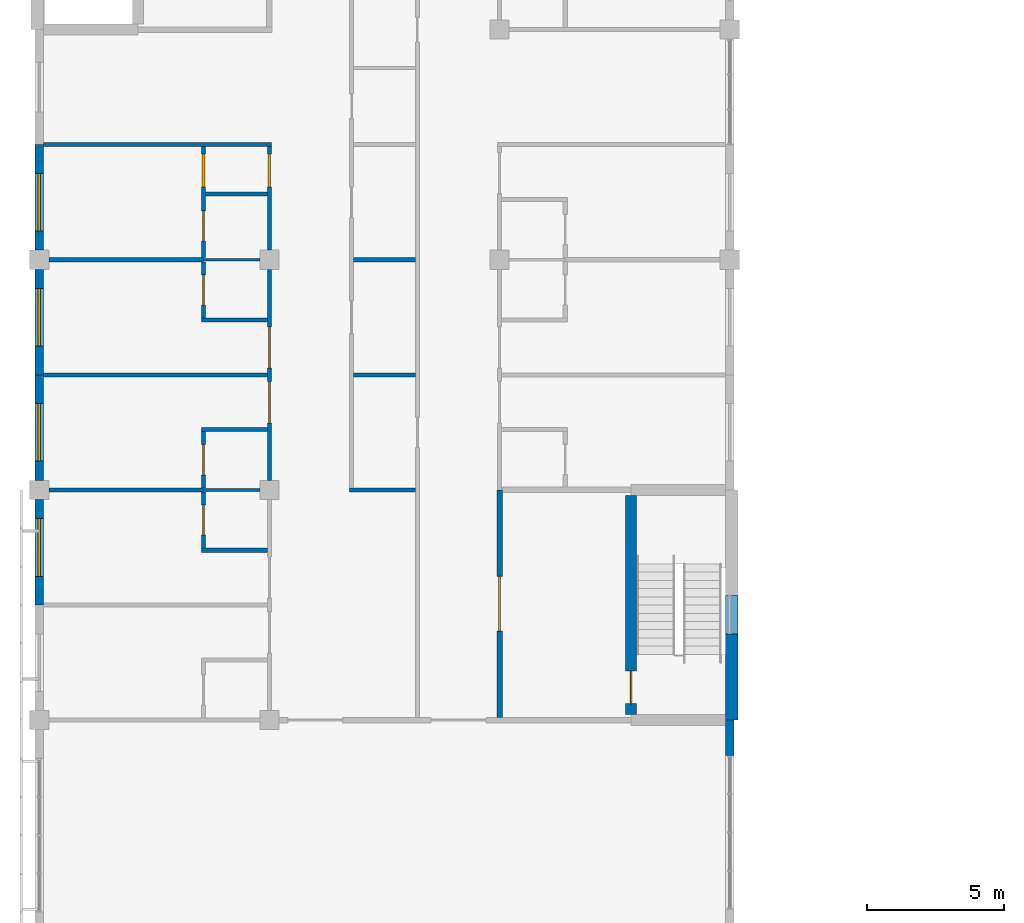
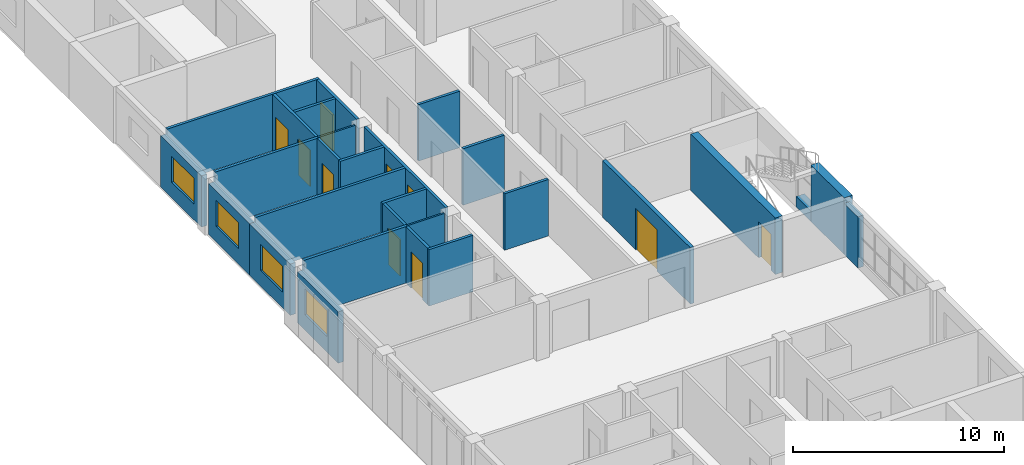
# One storey, part 27 of 45: 28 walls, 10 doors, 4 windows, 14 openings.
"""IFC4 building model written with IfcOpenShell, lengths in metres."""

from ifc_helpers import new_model, si_unit, direction, frame, frame_2d, origin, place, context, subcontext, project, spatial, rectangle, extrude, material, layer, layer_set, type_object, element, fill, save


model = new_model("IFC4")

# Units and contexts
model_context = context("Model", 3, precision=1e-05, world=origin(), true_north=direction((0.0, 1.0)))
body_context = subcontext(model_context, "Body", "Model", "MODEL_VIEW")
ifc_project = project(units=[si_unit("LENGTHUNIT", "METRE"), si_unit("AREAUNIT", "SQUARE_METRE"), si_unit("VOLUMEUNIT", "CUBIC_METRE"), si_unit("PLANEANGLEUNIT", "RADIAN"), si_unit("MASSUNIT", "GRAM", prefix="KILO")], contexts=[model_context])

# Site, building, storey
site_placement = place(None, origin())
site = spatial("IfcSite", under=ifc_project, at=site_placement, CompositionType="ELEMENT")
building_placement = place(site_placement, origin())
building = spatial("IfcBuilding", under=site, at=building_placement, Name="Yavir Park General Hospital", CompositionType="ELEMENT")
storey_placement = place(building_placement, frame((0.0, 0.0, 22.5)))
storey = spatial("IfcBuildingStorey", under=building, at=storey_placement, Name="L05", CompositionType="ELEMENT", Elevation=22.5)

# Wall, opening, door
ifc_material_1 = material(Name="Double gypsum board fire partition on steel studs", Category="steel")
ifc_layer_1 = layer(ifc_material_1, 0.199951171875)
ifc_layer_set_1 = layer_set([ifc_layer_1], Name="Double gypsum board fire partition on steel studs")
wall_type_1 = type_object("IfcWallType", Name="Fire-rated partition 200, EI 60", PredefinedType="PARTITIONING", material=ifc_layer_set_1)
wall_1_placement = place(storey_placement, frame((16.800048828125, 42.10009765625, 0.0), z_axis=(0.0, 0.0, 1.0), x_axis=(0.0, 1.0, 0.0)))
wall_1 = element("IfcWall", 1, at=wall_1_placement, inside=storey, type_object=wall_type_1, Name="FP20 L05-188", PredefinedType="PARTITIONING", context=body_context, shape_type="SweptSolid", body=[
    extrude(rectangle(XDim=8.2998046875, YDim=0.199951171875, at=frame_2d((4.14990234375, 0.0))), origin(), (0.0, 0.0, 1.0), 3.260009765625),
])
opening_1_placement = place(wall_1_placement, frame((3.14990234375, 0.0, 0.0)))
opening_1 = element("IfcOpeningElement", 2, at=opening_1_placement, cuts=wall_1, Name="Opening L05.D121", PredefinedType="OPENING", context=body_context, shape_type="SweptSolid", body=[
    extrude(rectangle(XDim=2.0, YDim=2.39990234375, at=frame_2d((1.0, 1.199951171875))), frame((0.0, 0.10986328125, 0.0), z_axis=(0.0, -1.0, 0.0), x_axis=(1.0, 0.0, 0.0)), (0.0, 0.0, 1.0), 0.219970703125),
])
ifc_material_2 = material(Name="Steel frame, fire-resisting leaves with vision panels", Category="steel")
door_type_1 = type_object("IfcDoorType", Name="Double fire door with vision panels 2000 x 2400, EI 60", OperationType="DOUBLE_DOOR_SINGLE_SWING", PredefinedType="DOOR", material=ifc_material_2)
door_1_placement = place(opening_1_placement, origin())
door_1 = element("IfcDoor", 3, at=door_1_placement, inside=storey, type_object=door_type_1, Name="L05.D121", OperationType="SINGLE_SWING_RIGHT", OverallHeight=2.39990234375, OverallWidth=2.0, PredefinedType="DOOR", context=body_context, shape_type="SweptSolid", body=[
    extrude(rectangle(XDim=2.0, YDim=2.39990234375, at=frame_2d((1.0, 1.199951171875))), frame((0.0, 0.030029296875, 0.0), z_axis=(0.0, -1.0, 0.0), x_axis=(1.0, 0.0, 0.0)), (0.0, 0.0, 1.0), 0.06005859375),
])
fill(opening_1, door_1)

# Walls
ifc_material_3 = material(Name="Gypsum board partition on steel studs", Category="steel")
ifc_layer_2 = layer(ifc_material_3, 0.10009765625)
ifc_layer_set_2 = layer_set([ifc_layer_2], Name="Gypsum board partition on steel studs")
wall_type_2 = type_object("IfcWallType", Name="Gypsum board partition 100", PredefinedType="PARTITIONING", material=ifc_layer_set_2)
for number, where, z_axis, x_axis, name in (
    (4, (6.0, 50.39990234375, 0.0), (0.0, 0.0, 1.0), (1.0, 0.0, 0.0), "P10 L05-071"),
    (5, (6.0, 58.800048828125, 0.0), (0.0, 0.0, 1.0), (1.0, 0.0, 0.0), "P10 L05-083"),
):
    element("IfcWall", number, at=place(storey_placement, frame(where, z_axis=z_axis, x_axis=x_axis)), inside=storey, type_object=wall_type_2, Name=name, PredefinedType="PARTITIONING", context=body_context, shape_type="SweptSolid", body=[
        extrude(rectangle(XDim=2.050048828125, YDim=0.10009765625, at=frame_2d((1.02490234375, 0.0))), origin(), (0.0, 0.0, 1.0), 3.260009765625),
    ])
ifc_material_4 = material(Name="Gypsum board partition on steel studs", Category="steel")
ifc_layer_3 = layer(ifc_material_4, 0.14990234375)
ifc_layer_set_3 = layer_set([ifc_layer_3], Name="Gypsum board partition on steel studs")
wall_type_3 = type_object("IfcWallType", Name="Gypsum board partition 150", PredefinedType="PARTITIONING", material=ifc_layer_set_3)
wall_2_placement = place(storey_placement, frame((5.925048828125, 48.199951171875, 0.0), z_axis=(0.0, 0.0, 1.0), x_axis=(1.0, 0.0, 0.0)))
element("IfcWall", 6, at=wall_2_placement, inside=storey, type_object=wall_type_3, Name="P15 L05-069", PredefinedType="PARTITIONING", context=body_context, shape_type="SweptSolid", body=[
    extrude(rectangle(XDim=2.39990234375, YDim=0.14990234375, at=frame_2d((1.199951171875, 0.0))), origin(), (0.0, 0.0, 1.0), 3.260009765625),
])
wall_3_placement = place(storey_placement, frame((0.35009765625, 50.39990234375, 0.0), z_axis=(0.0, 0.0, 1.0), x_axis=(1.0, 0.0, 0.0)))
element("IfcWall", 7, at=wall_3_placement, inside=storey, type_object=wall_type_3, Name="P15 L05-070", PredefinedType="PARTITIONING", context=body_context, shape_type="SweptSolid", body=[
    extrude(rectangle(XDim=5.64990234375, YDim=0.14990234375, at=frame_2d((2.824951171875, 0.0))), origin(), (0.0, 0.0, 1.0), 3.260009765625),
])
wall_4_placement = place(storey_placement, frame((11.324951171875, 50.39990234375, 0.0), z_axis=(0.0, 0.0, 1.0), x_axis=(1.0, 0.0, 0.0)))
element("IfcWall", 8, at=wall_4_placement, inside=storey, type_object=wall_type_3, Name="P15 L05-072", PredefinedType="PARTITIONING", context=body_context, shape_type="SweptSolid", body=[
    extrude(rectangle(XDim=2.400146484375, YDim=0.14990234375, at=frame_2d((1.2001953125, 0.0))), origin(), (0.0, 0.0, 1.0), 3.260009765625),
])
wall_5_placement = place(storey_placement, frame((5.925048828125, 52.60009765625, 0.0), z_axis=(0.0, 0.0, 1.0), x_axis=(1.0, 0.0, 0.0)))
element("IfcWall", 9, at=wall_5_placement, inside=storey, type_object=wall_type_3, Name="P15 L05-075", PredefinedType="PARTITIONING", context=body_context, shape_type="SweptSolid", body=[
    extrude(rectangle(XDim=2.39990234375, YDim=0.14990234375, at=frame_2d((1.199951171875, 0.0))), origin(), (0.0, 0.0, 1.0), 3.260009765625),
])
wall_6_placement = place(storey_placement, frame((0.14990234375, 54.60009765625, 0.0), z_axis=(0.0, 0.0, 1.0), x_axis=(1.0, 0.0, 0.0)))
element("IfcWall", 10, at=wall_6_placement, inside=storey, type_object=wall_type_3, Name="P15 L05-077", PredefinedType="PARTITIONING", context=body_context, shape_type="SweptSolid", body=[
    extrude(rectangle(XDim=8.175048828125, YDim=0.14990234375, at=frame_2d((4.08740234375, 0.0))), origin(), (0.0, 0.0, 1.0), 3.260009765625),
])
wall_7_placement = place(storey_placement, frame((11.47509765625, 54.60009765625, 0.0), z_axis=(0.0, 0.0, 1.0), x_axis=(1.0, 0.0, 0.0)))
element("IfcWall", 11, at=wall_7_placement, inside=storey, type_object=wall_type_3, Name="P15 L05-078", PredefinedType="PARTITIONING", context=body_context, shape_type="SweptSolid", body=[
    extrude(rectangle(XDim=2.25, YDim=0.14990234375, at=frame_2d((1.125, 0.0))), origin(), (0.0, 0.0, 1.0), 3.260009765625),
])
wall_8_placement = place(storey_placement, frame((5.925048828125, 56.60009765625, 0.0), z_axis=(0.0, 0.0, 1.0), x_axis=(1.0, 0.0, 0.0)))
element("IfcWall", 12, at=wall_8_placement, inside=storey, type_object=wall_type_3, Name="P15 L05-080", PredefinedType="PARTITIONING", context=body_context, shape_type="SweptSolid", body=[
    extrude(rectangle(XDim=2.39990234375, YDim=0.14990234375, at=frame_2d((1.199951171875, 0.0))), origin(), (0.0, 0.0, 1.0), 3.260009765625),
])
wall_9_placement = place(storey_placement, frame((0.35009765625, 58.800048828125, 0.0), z_axis=(0.0, 0.0, 1.0), x_axis=(1.0, 0.0, 0.0)))
element("IfcWall", 13, at=wall_9_placement, inside=storey, type_object=wall_type_3, Name="P15 L05-082", PredefinedType="PARTITIONING", context=body_context, shape_type="SweptSolid", body=[
    extrude(rectangle(XDim=5.64990234375, YDim=0.14990234375, at=frame_2d((2.824951171875, 0.0))), origin(), (0.0, 0.0, 1.0), 3.260009765625),
])
for number, where, z_axis, x_axis, name in (
    (14, (11.47509765625, 58.800048828125, 0.0), (0.0, 0.0, 1.0), (1.0, 0.0, 0.0), "P15 L05-084"),
    (15, (6.074951171875, 61.199951171875, 0.0), (0.0, 0.0, 1.0), (1.0, 0.0, 0.0), "P15 L05-088"),
):
    element("IfcWall", number, at=place(storey_placement, frame(where, z_axis=z_axis, x_axis=x_axis)), inside=storey, type_object=wall_type_3, Name=name, PredefinedType="PARTITIONING", context=body_context, shape_type="SweptSolid", body=[
        extrude(rectangle(XDim=2.25, YDim=0.14990234375, at=frame_2d((1.125, 0.0))), origin(), (0.0, 0.0, 1.0), 3.260009765625),
    ])
wall_10_placement = place(storey_placement, frame((0.14990234375, 63.0, 0.0), z_axis=(0.0, 0.0, 1.0), x_axis=(1.0, 0.0, 0.0)))
element("IfcWall", 16, at=wall_10_placement, inside=storey, type_object=wall_type_3, Name="P15 L05-089", PredefinedType="PARTITIONING", context=body_context, shape_type="SweptSolid", body=[
    extrude(rectangle(XDim=8.3251953125, YDim=0.14990234375, at=frame_2d((4.16259765625, 0.0))), origin(), (0.0, 0.0, 1.0), 3.260009765625),
])

# Wall, opening, door
wall_11_placement = place(storey_placement, frame((6.0, 48.27490234375, 0.0), z_axis=(0.0, 0.0, 1.0), x_axis=(0.0, 1.0, 0.0)))
wall_11 = element("IfcWall", 17, at=wall_11_placement, inside=storey, type_object=wall_type_3, Name="P15 L05-147", PredefinedType="PARTITIONING", context=body_context, shape_type="SweptSolid", body=[
    extrude(rectangle(XDim=2.050048828125, YDim=0.14990234375, at=frame_2d((1.02490234375, 0.0))), origin(), (0.0, 0.0, 1.0), 3.260009765625),
])
opening_2_placement = place(wall_11_placement, frame((0.47509765625, 0.0, 0.0)))
opening_2 = element("IfcOpeningElement", 18, at=opening_2_placement, cuts=wall_11, Name="Opening L05.D081", PredefinedType="OPENING", context=body_context, shape_type="SweptSolid", body=[
    extrude(rectangle(XDim=1.10009765625, YDim=2.10009765625, at=frame_2d((0.550048828125, 1.050048828125))), frame((0.0, 0.0849609375, 0.0), z_axis=(0.0, -1.0, 0.0), x_axis=(1.0, 0.0, 0.0)), (0.0, 0.0, 1.0), 0.169921875),
])
ifc_material_5 = material(Name="Hollow metal frame, solid-core timber leaf", Category="wood")
door_type_2 = type_object("IfcDoorType", Name="Single swing door 1100 x 2100", OperationType="SINGLE_SWING_LEFT", PredefinedType="DOOR", material=ifc_material_5)
door_2_placement = place(opening_2_placement, origin())
door_2 = element("IfcDoor", 19, at=door_2_placement, inside=storey, type_object=door_type_2, Name="L05.D081", OperationType="SINGLE_SWING_LEFT", OverallHeight=2.10009765625, OverallWidth=1.10009765625, PredefinedType="DOOR", context=body_context, shape_type="SweptSolid", body=[
    extrude(rectangle(XDim=1.10009765625, YDim=2.10009765625, at=frame_2d((0.550048828125, 1.050048828125))), frame((0.0, 0.02490234375, 0.0), z_axis=(0.0, -1.0, 0.0), x_axis=(1.0, 0.0, 0.0)), (0.0, 0.0, 1.0), 0.050048828125),
])
fill(opening_2, door_2)

wall_12_placement = place(storey_placement, frame((6.0, 50.47509765625, 0.0), z_axis=(0.0, 0.0, 1.0), x_axis=(0.0, 1.0, 0.0)))
wall_12 = element("IfcWall", 20, at=wall_12_placement, inside=storey, type_object=wall_type_3, Name="P15 L05-148", PredefinedType="PARTITIONING", context=body_context, shape_type="SweptSolid", body=[
    extrude(rectangle(XDim=2.0498046875, YDim=0.14990234375, at=frame_2d((1.02490234375, 0.0))), origin(), (0.0, 0.0, 1.0), 3.260009765625),
])
opening_3_placement = place(wall_12_placement, frame((0.47509765625, 0.0, 0.0)))
opening_3 = element("IfcOpeningElement", 21, at=opening_3_placement, cuts=wall_12, Name="Opening L05.D082", PredefinedType="OPENING", context=body_context, shape_type="SweptSolid", body=[
    extrude(rectangle(XDim=1.10009765625, YDim=2.10009765625, at=frame_2d((0.550048828125, 1.050048828125))), frame((0.0, 0.0849609375, 0.0), z_axis=(0.0, -1.0, 0.0), x_axis=(1.0, 0.0, 0.0)), (0.0, 0.0, 1.0), 0.169921875),
])
door_3_placement = place(opening_3_placement, origin())
door_3 = element("IfcDoor", 22, at=door_3_placement, inside=storey, type_object=door_type_2, Name="L05.D082", OperationType="SINGLE_SWING_RIGHT", OverallHeight=2.10009765625, OverallWidth=1.10009765625, PredefinedType="DOOR", context=body_context, shape_type="SweptSolid", body=[
    extrude(rectangle(XDim=1.10009765625, YDim=2.10009765625, at=frame_2d((0.550048828125, 1.050048828125))), frame((0.0, 0.02490234375, 0.0), z_axis=(0.0, -1.0, 0.0), x_axis=(1.0, 0.0, 0.0)), (0.0, 0.0, 1.0), 0.050048828125),
])
fill(opening_3, door_3)

wall_13_placement = place(storey_placement, frame((6.0, 56.675048828125, 0.0), z_axis=(0.0, 0.0, 1.0), x_axis=(0.0, 1.0, 0.0)))
wall_13 = element("IfcWall", 23, at=wall_13_placement, inside=storey, type_object=wall_type_3, Name="P15 L05-149", PredefinedType="PARTITIONING", context=body_context, shape_type="SweptSolid", body=[
    extrude(rectangle(XDim=2.050048828125, YDim=0.14990234375, at=frame_2d((1.02490234375, 0.0))), origin(), (0.0, 0.0, 1.0), 3.260009765625),
])
opening_4_placement = place(wall_13_placement, frame((0.47509765625, 0.0, 0.0)))
opening_4 = element("IfcOpeningElement", 24, at=opening_4_placement, cuts=wall_13, Name="Opening L05.D083", PredefinedType="OPENING", context=body_context, shape_type="SweptSolid", body=[
    extrude(rectangle(XDim=1.10009765625, YDim=2.10009765625, at=frame_2d((0.550048828125, 1.050048828125))), frame((0.0, 0.0849609375, 0.0), z_axis=(0.0, -1.0, 0.0), x_axis=(1.0, 0.0, 0.0)), (0.0, 0.0, 1.0), 0.169921875),
])
door_4_placement = place(opening_4_placement, origin())
door_4 = element("IfcDoor", 25, at=door_4_placement, inside=storey, type_object=door_type_2, Name="L05.D083", OperationType="SINGLE_SWING_LEFT", OverallHeight=2.10009765625, OverallWidth=1.10009765625, PredefinedType="DOOR", context=body_context, shape_type="SweptSolid", body=[
    extrude(rectangle(XDim=1.10009765625, YDim=2.10009765625, at=frame_2d((0.550048828125, 1.050048828125))), frame((0.0, 0.02490234375, 0.0), z_axis=(0.0, -1.0, 0.0), x_axis=(1.0, 0.0, 0.0)), (0.0, 0.0, 1.0), 0.050048828125),
])
fill(opening_4, door_4)

# Wall, openings, doors
wall_14_placement = place(storey_placement, frame((6.0, 58.875, 0.0), z_axis=(0.0, 0.0, 1.0), x_axis=(0.0, 1.0, 0.0)))
wall_14 = element("IfcWall", 26, at=wall_14_placement, inside=storey, type_object=wall_type_3, Name="P15 L05-150", PredefinedType="PARTITIONING", context=body_context, shape_type="SweptSolid", body=[
    extrude(rectangle(XDim=4.050048828125, YDim=0.14990234375, at=frame_2d((2.02490234375, 0.0))), origin(), (0.0, 0.0, 1.0), 3.260009765625),
])
opening_5_placement = place(wall_14_placement, frame((0.612548828125, 0.0, 0.0)))
opening_5 = element("IfcOpeningElement", 27, at=opening_5_placement, cuts=wall_14, Name="Opening L05.D084", PredefinedType="OPENING", context=body_context, shape_type="SweptSolid", body=[
    extrude(rectangle(XDim=1.10009765625, YDim=2.10009765625, at=frame_2d((0.550048828125, 1.050048828125))), frame((0.0, 0.0849609375, 0.0), z_axis=(0.0, -1.0, 0.0), x_axis=(1.0, 0.0, 0.0)), (0.0, 0.0, 1.0), 0.169921875),
])
opening_6_placement = place(wall_14_placement, frame((2.58740234375, 0.0, 0.0)))
opening_6 = element("IfcOpeningElement", 28, at=opening_6_placement, cuts=wall_14, Name="Opening L05.D085", PredefinedType="OPENING", context=body_context, shape_type="SweptSolid", body=[
    extrude(rectangle(XDim=1.199951171875, YDim=2.10009765625, at=frame_2d((0.60009765625, 1.050048828125))), frame((0.0, 0.0849609375, 0.0), z_axis=(0.0, -1.0, 0.0), x_axis=(1.0, 0.0, 0.0)), (0.0, 0.0, 1.0), 0.169921875),
])
ifc_material_6 = material(Name="Sealed steel door leaf, compression seals", Category="steel")
door_type_3 = type_object("IfcDoorType", Name="Isolation airlock door 1200 x 2100", OperationType="SINGLE_SWING_LEFT", PredefinedType="DOOR", material=ifc_material_6)
door_5_placement = place(opening_6_placement, origin())
door_5 = element("IfcDoor", 29, at=door_5_placement, inside=storey, type_object=door_type_3, Name="L05.D085", OperationType="SINGLE_SWING_LEFT", OverallHeight=2.10009765625, OverallWidth=1.199951171875, PredefinedType="DOOR", context=body_context, shape_type="SweptSolid", body=[
    extrude(rectangle(XDim=1.199951171875, YDim=2.10009765625, at=frame_2d((0.60009765625, 1.050048828125))), frame((0.0, 0.050048828125, 0.0), z_axis=(0.0, -1.0, 0.0), x_axis=(1.0, 0.0, 0.0)), (0.0, 0.0, 1.0), 0.10009765625),
])
fill(opening_6, door_5)
door_6_placement = place(opening_5_placement, origin())
door_6 = element("IfcDoor", 30, at=door_6_placement, inside=storey, type_object=door_type_2, Name="L05.D084", OperationType="SINGLE_SWING_RIGHT", OverallHeight=2.10009765625, OverallWidth=1.10009765625, PredefinedType="DOOR", context=body_context, shape_type="SweptSolid", body=[
    extrude(rectangle(XDim=1.10009765625, YDim=2.10009765625, at=frame_2d((0.550048828125, 1.050048828125))), frame((0.0, 0.02490234375, 0.0), z_axis=(0.0, -1.0, 0.0), x_axis=(1.0, 0.0, 0.0)), (0.0, 0.0, 1.0), 0.050048828125),
])
fill(opening_5, door_6)

wall_15_placement = place(storey_placement, frame((8.39990234375, 50.75, 0.0), z_axis=(0.0, 0.0, 1.0), x_axis=(0.0, 1.0, 0.0)))
wall_15 = element("IfcWall", 31, at=wall_15_placement, inside=storey, type_object=wall_type_3, Name="P15 L05-165", PredefinedType="PARTITIONING", context=body_context, shape_type="SweptSolid", body=[
    extrude(rectangle(XDim=7.699951171875, YDim=0.14990234375, at=frame_2d((3.85009765625, 0.0))), origin(), (0.0, 0.0, 1.0), 3.260009765625),
])
opening_7_placement = place(wall_15_placement, frame((2.10009765625, 0.0, 0.0)))
opening_7 = element("IfcOpeningElement", 32, at=opening_7_placement, cuts=wall_15, Name="Opening L05.D096", PredefinedType="OPENING", context=body_context, shape_type="SweptSolid", body=[
    extrude(rectangle(XDim=1.5, YDim=2.39990234375, at=frame_2d((0.75, 1.199951171875))), frame((0.0, 0.0849609375, 0.0), z_axis=(0.0, -1.0, 0.0), x_axis=(1.0, 0.0, 0.0)), (0.0, 0.0, 1.0), 0.169921875),
])
opening_8_placement = place(wall_15_placement, frame((4.10009765625, 0.0, 0.0)))
opening_8 = element("IfcOpeningElement", 33, at=opening_8_placement, cuts=wall_15, Name="Opening L05.D097", PredefinedType="OPENING", context=body_context, shape_type="SweptSolid", body=[
    extrude(rectangle(XDim=1.5, YDim=2.39990234375, at=frame_2d((0.75, 1.199951171875))), frame((0.0, 0.0849609375, 0.0), z_axis=(0.0, -1.0, 0.0), x_axis=(1.0, 0.0, 0.0)), (0.0, 0.0, 1.0), 0.169921875),
])
ifc_material_7 = material(Name="Solid-core timber leaves, push plates, kick plates", Category="wood")
door_type_4 = type_object("IfcDoorType", Name="Bed door, unequal leaves 1500 x 2400", OperationType="DOUBLE_DOOR_SINGLE_SWING", PredefinedType="DOOR", material=ifc_material_7)
door_7_placement = place(opening_7_placement, origin())
door_7 = element("IfcDoor", 34, at=door_7_placement, inside=storey, type_object=door_type_4, Name="L05.D096", OperationType="SINGLE_SWING_RIGHT", OverallHeight=2.39990234375, OverallWidth=1.5, PredefinedType="DOOR", context=body_context, shape_type="SweptSolid", body=[
    extrude(rectangle(XDim=1.5, YDim=2.39990234375, at=frame_2d((0.75, 1.199951171875))), frame((0.0, 0.030029296875, 0.0), z_axis=(0.0, -1.0, 0.0), x_axis=(1.0, 0.0, 0.0)), (0.0, 0.0, 1.0), 0.06005859375),
])
fill(opening_7, door_7)
door_8_placement = place(opening_8_placement, origin())
door_8 = element("IfcDoor", 35, at=door_8_placement, inside=storey, type_object=door_type_4, Name="L05.D097", OperationType="SINGLE_SWING_RIGHT", OverallHeight=2.39990234375, OverallWidth=1.5, PredefinedType="DOOR", context=body_context, shape_type="SweptSolid", body=[
    extrude(rectangle(XDim=1.5, YDim=2.39990234375, at=frame_2d((0.75, 1.199951171875))), frame((0.0, 0.030029296875, 0.0), z_axis=(0.0, -1.0, 0.0), x_axis=(1.0, 0.0, 0.0)), (0.0, 0.0, 1.0), 0.06005859375),
])
fill(opening_8, door_8)

# Wall, opening, door
wall_16_placement = place(storey_placement, frame((8.39990234375, 59.14990234375, 0.0), z_axis=(0.0, 0.0, 1.0), x_axis=(0.0, 1.0, 0.0)))
wall_16 = element("IfcWall", 36, at=wall_16_placement, inside=storey, type_object=wall_type_3, Name="P15 L05-166", PredefinedType="PARTITIONING", context=body_context, shape_type="SweptSolid", body=[
    extrude(rectangle(XDim=3.775146484375, YDim=0.14990234375, at=frame_2d((1.8876953125, 0.0))), origin(), (0.0, 0.0, 1.0), 3.260009765625),
])
opening_9_placement = place(wall_16_placement, frame((2.3125, 0.0, 0.0)))
opening_9 = element("IfcOpeningElement", 37, at=opening_9_placement, cuts=wall_16, Name="Opening L05.D098", PredefinedType="OPENING", context=body_context, shape_type="SweptSolid", body=[
    extrude(rectangle(XDim=1.199951171875, YDim=2.10009765625, at=frame_2d((0.60009765625, 1.050048828125))), frame((0.0, 0.0849609375, 0.0), z_axis=(0.0, -1.0, 0.0), x_axis=(1.0, 0.0, 0.0)), (0.0, 0.0, 1.0), 0.169921875),
])
door_9_placement = place(opening_9_placement, origin())
door_9 = element("IfcDoor", 38, at=door_9_placement, inside=storey, type_object=door_type_3, Name="L05.D098", OperationType="SINGLE_SWING_RIGHT", OverallHeight=2.10009765625, OverallWidth=1.199951171875, PredefinedType="DOOR", context=body_context, shape_type="SweptSolid", body=[
    extrude(rectangle(XDim=1.199951171875, YDim=2.10009765625, at=frame_2d((0.60009765625, 1.050048828125))), frame((0.0, 0.050048828125, 0.0), z_axis=(0.0, -1.0, 0.0), x_axis=(1.0, 0.0, 0.0)), (0.0, 0.0, 1.0), 0.10009765625),
])
fill(opening_9, door_9)

# Wall, opening, window
ifc_material_8 = material(Name="Autoclaved aerated block, mineral wool and ochre mineral render")
ifc_layer_4 = layer(ifc_material_8, 0.300048828125)
ifc_layer_set_4 = layer_set([ifc_layer_4], Name="Autoclaved aerated block, mineral wool and ochre mineral render")
wall_type_4 = type_object("IfcWallType", Name="Ochre render ward wall 300, E 30", PredefinedType="SOLIDWALL", material=ifc_layer_set_4)
wall_17_placement = place(storey_placement, frame((0.0, 46.199951171875, 0.0), z_axis=(0.0, 0.0, 1.0), x_axis=(0.0, 1.0, 0.0)))
wall_17 = element("IfcWall", 39, at=wall_17_placement, inside=storey, type_object=wall_type_4, Name="XW7 L05-082", PredefinedType="SOLIDWALL", context=body_context, shape_type="SweptSolid", body=[
    extrude(rectangle(XDim=3.85009765625, YDim=0.300048828125, at=frame_2d((1.925048828125, 0.0))), origin(), (0.0, 0.0, 1.0), 2.9599609375),
])
opening_10_placement = place(wall_17_placement, frame((1.050048828125, 0.0, 0.89990234375)))
opening_10 = element("IfcOpeningElement", 40, at=opening_10_placement, cuts=wall_17, Name="Opening WAR", PredefinedType="OPENING", context=body_context, shape_type="SweptSolid", body=[
    extrude(rectangle(XDim=2.10009765625, YDim=1.5, at=frame_2d((1.050048828125, 0.75))), frame((0.0, 0.159912109375, 0.0), z_axis=(0.0, -1.0, 0.0), x_axis=(1.0, 0.0, 0.0)), (0.0, 0.0, 1.0), 0.320068359375),
])
ifc_material_9 = material(Name="Aluminium frame, tilt-and-turn sash with opening restrictor, double glazed unit", Category="aluminium")
window_type_1 = type_object("IfcWindowType", Name="Ward window, restricted opening 2100 x 1500", PartitioningType="DOUBLE_PANEL_VERTICAL", PredefinedType="WINDOW", material=ifc_material_9)
window_1_placement = place(opening_10_placement, origin())
window_1 = element("IfcWindow", 41, at=window_1_placement, inside=storey, type_object=window_type_1, Name="WAR L05-031", OverallHeight=1.5, OverallWidth=2.10009765625, PartitioningType="DOUBLE_PANEL_VERTICAL", PredefinedType="WINDOW", context=body_context, shape_type="SweptSolid", body=[
    extrude(rectangle(XDim=2.10009765625, YDim=1.5, at=frame_2d((1.050048828125, 0.75))), frame((0.0, 0.050048828125, 0.0), z_axis=(0.0, -1.0, 0.0), x_axis=(1.0, 0.0, 0.0)), (0.0, 0.0, 1.0), 0.10009765625),
])
fill(opening_10, window_1)

wall_18_placement = place(storey_placement, frame((0.0, 50.75, 0.0), z_axis=(0.0, 0.0, 1.0), x_axis=(0.0, 1.0, 0.0)))
wall_18 = element("IfcWall", 42, at=wall_18_placement, inside=storey, type_object=wall_type_4, Name="XW7 L05-083", PredefinedType="SOLIDWALL", context=body_context, shape_type="SweptSolid", body=[
    extrude(rectangle(XDim=3.85009765625, YDim=0.300048828125, at=frame_2d((1.925048828125, 0.0))), origin(), (0.0, 0.0, 1.0), 2.9599609375),
])
opening_11_placement = place(wall_18_placement, frame((0.699951171875, 0.0, 0.89990234375)))
opening_11 = element("IfcOpeningElement", 43, at=opening_11_placement, cuts=wall_18, Name="Opening WAR", PredefinedType="OPENING", context=body_context, shape_type="SweptSolid", body=[
    extrude(rectangle(XDim=2.10009765625, YDim=1.5, at=frame_2d((1.050048828125, 0.75))), frame((0.0, 0.159912109375, 0.0), z_axis=(0.0, -1.0, 0.0), x_axis=(1.0, 0.0, 0.0)), (0.0, 0.0, 1.0), 0.320068359375),
])
window_2_placement = place(opening_11_placement, origin())
window_2 = element("IfcWindow", 44, at=window_2_placement, inside=storey, type_object=window_type_1, Name="WAR L05-032", OverallHeight=1.5, OverallWidth=2.10009765625, PartitioningType="DOUBLE_PANEL_VERTICAL", PredefinedType="WINDOW", context=body_context, shape_type="SweptSolid", body=[
    extrude(rectangle(XDim=2.10009765625, YDim=1.5, at=frame_2d((1.050048828125, 0.75))), frame((0.0, 0.050048828125, 0.0), z_axis=(0.0, -1.0, 0.0), x_axis=(1.0, 0.0, 0.0)), (0.0, 0.0, 1.0), 0.10009765625),
])
fill(opening_11, window_2)

wall_19_placement = place(storey_placement, frame((0.0, 54.60009765625, 0.0), z_axis=(0.0, 0.0, 1.0), x_axis=(0.0, 1.0, 0.0)))
wall_19 = element("IfcWall", 45, at=wall_19_placement, inside=storey, type_object=wall_type_4, Name="XW7 L05-084", PredefinedType="SOLIDWALL", context=body_context, shape_type="SweptSolid", body=[
    extrude(rectangle(XDim=3.849853515625, YDim=0.300048828125, at=frame_2d((1.9248046875, 0.0))), origin(), (0.0, 0.0, 1.0), 2.9599609375),
])
opening_12_placement = place(wall_19_placement, frame((1.050048828125, 0.0, 0.89990234375)))
opening_12 = element("IfcOpeningElement", 46, at=opening_12_placement, cuts=wall_19, Name="Opening WAR", PredefinedType="OPENING", context=body_context, shape_type="SweptSolid", body=[
    extrude(rectangle(XDim=2.10009765625, YDim=1.5, at=frame_2d((1.050048828125, 0.75))), frame((0.0, 0.159912109375, 0.0), z_axis=(0.0, -1.0, 0.0), x_axis=(1.0, 0.0, 0.0)), (0.0, 0.0, 1.0), 0.320068359375),
])
window_3_placement = place(opening_12_placement, origin())
window_3 = element("IfcWindow", 47, at=window_3_placement, inside=storey, type_object=window_type_1, Name="WAR L05-033", OverallHeight=1.5, OverallWidth=2.10009765625, PartitioningType="DOUBLE_PANEL_VERTICAL", PredefinedType="WINDOW", context=body_context, shape_type="SweptSolid", body=[
    extrude(rectangle(XDim=2.10009765625, YDim=1.5, at=frame_2d((1.050048828125, 0.75))), frame((0.0, 0.050048828125, 0.0), z_axis=(0.0, -1.0, 0.0), x_axis=(1.0, 0.0, 0.0)), (0.0, 0.0, 1.0), 0.10009765625),
])
fill(opening_12, window_3)

wall_20_placement = place(storey_placement, frame((0.0, 59.14990234375, 0.0), z_axis=(0.0, 0.0, 1.0), x_axis=(0.0, 1.0, 0.0)))
wall_20 = element("IfcWall", 48, at=wall_20_placement, inside=storey, type_object=wall_type_4, Name="XW7 L05-085", PredefinedType="SOLIDWALL", context=body_context, shape_type="SweptSolid", body=[
    extrude(rectangle(XDim=3.85009765625, YDim=0.300048828125, at=frame_2d((1.925048828125, 0.0))), origin(), (0.0, 0.0, 1.0), 2.9599609375),
])
opening_13_placement = place(wall_20_placement, frame((0.699951171875, 0.0, 0.89990234375)))
opening_13 = element("IfcOpeningElement", 49, at=opening_13_placement, cuts=wall_20, Name="Opening WI", PredefinedType="OPENING", context=body_context, shape_type="SweptSolid", body=[
    extrude(rectangle(XDim=2.10009765625, YDim=1.5, at=frame_2d((1.050048828125, 0.75))), frame((0.0, 0.159912109375, 0.0), z_axis=(0.0, -1.0, 0.0), x_axis=(1.0, 0.0, 0.0)), (0.0, 0.0, 1.0), 0.320068359375),
])
ifc_material_10 = material(Name="Aluminium frame, acoustic glazed unit", Category="aluminium")
window_type_2 = type_object("IfcWindowType", Name="Acoustic glazed window 2100 x 1500", PartitioningType="SINGLE_PANEL", PredefinedType="WINDOW", material=ifc_material_10)
window_4_placement = place(opening_13_placement, origin())
window_4 = element("IfcWindow", 50, at=window_4_placement, inside=storey, type_object=window_type_2, Name="WI L05-034", OverallHeight=1.5, OverallWidth=2.10009765625, PartitioningType="SINGLE_PANEL", PredefinedType="WINDOW", context=body_context, shape_type="SweptSolid", body=[
    extrude(rectangle(XDim=2.10009765625, YDim=1.5, at=frame_2d((1.050048828125, 0.75))), frame((0.0, 0.044921875, 0.0), z_axis=(0.0, -1.0, 0.0), x_axis=(1.0, 0.0, 0.0)), (0.0, 0.0, 1.0), 0.090087890625),
])
fill(opening_13, window_4)

# Wall
wall_21_placement = place(storey_placement, frame((25.199951171875, 40.699951171875, 0.0), z_axis=(0.0, 0.0, 1.0), x_axis=(0.0, 1.0, 0.0)))
element("IfcWall", 51, at=wall_21_placement, inside=storey, type_object=wall_type_4, Name="XW7 L05-103", PredefinedType="SOLIDWALL", context=body_context, shape_type="SweptSolid", body=[
    extrude(rectangle(XDim=1.300048828125, YDim=0.300048828125, at=frame_2d((0.64990234375, 0.0))), origin(), (0.0, 0.0, 1.0), 2.9599609375),
])

# Wall, opening, door
ifc_material_11 = material(Name="Concrete C35/45", Category="concrete")
ifc_layer_5 = layer(ifc_material_11, 0.39990234375)
ifc_layer_set_5 = layer_set([ifc_layer_5], Name="Concrete C35/45")
wall_type_5 = type_object("IfcWallType", Name="Reinforced concrete core wall 400, REI 150", PredefinedType="SHEAR", material=ifc_layer_set_5)
wall_22_placement = place(storey_placement, frame((21.60009765625, 42.199951171875, 0.0), z_axis=(0.0, 0.0, 1.0), x_axis=(0.0, 1.0, 0.0)))
wall_22 = element("IfcWall", 52, at=wall_22_placement, inside=storey, type_object=wall_type_5, Name="CW40 L05-209", PredefinedType="SHEAR", context=body_context, shape_type="SweptSolid", body=[
    extrude(rectangle(XDim=8.0, YDim=0.39990234375, at=frame_2d((4.0, 0.0))), origin(), (0.0, 0.0, 1.0), 3.260009765625),
])
opening_14_placement = place(wall_22_placement, frame((0.39990234375, 0.0, 0.0)))
opening_14 = element("IfcOpeningElement", 53, at=opening_14_placement, cuts=wall_22, Name="Opening L05.D138", PredefinedType="OPENING", context=body_context, shape_type="SweptSolid", body=[
    extrude(rectangle(XDim=1.199951171875, YDim=2.10009765625, at=frame_2d((0.60009765625, 1.050048828125))), frame((0.0, 0.2099609375, 0.0), z_axis=(0.0, -1.0, 0.0), x_axis=(1.0, 0.0, 0.0)), (0.0, 0.0, 1.0), 0.419921875),
])
ifc_material_12 = material(Name="Steel frame, fire-resisting timber leaf", Category="steel")
door_type_5 = type_object("IfcDoorType", Name="Fire door 1200 x 2100, EI 60", OperationType="SINGLE_SWING_LEFT", PredefinedType="DOOR", material=ifc_material_12)
door_10_placement = place(opening_14_placement, origin())
door_10 = element("IfcDoor", 54, at=door_10_placement, inside=storey, type_object=door_type_5, Name="L05.D138", OperationType="SINGLE_SWING_LEFT", OverallHeight=2.10009765625, OverallWidth=1.199951171875, PredefinedType="DOOR", context=body_context, shape_type="SweptSolid", body=[
    extrude(rectangle(XDim=1.199951171875, YDim=2.10009765625, at=frame_2d((0.60009765625, 1.050048828125))), frame((0.0, 0.02490234375, 0.0), z_axis=(0.0, -1.0, 0.0), x_axis=(1.0, 0.0, 0.0)), (0.0, 0.0, 1.0), 0.050048828125),
])
fill(opening_14, door_10)

# Walls
ifc_material_13 = material(Name="Concrete C30/37 precast panel with 150 mm mineral wool insulation", Category="concrete")
ifc_layer_6 = layer(ifc_material_13, 0.449951171875)
ifc_layer_set_6 = layer_set([ifc_layer_6], Name="Concrete C30/37 precast panel with 150 mm mineral wool insulation")
wall_type_6 = type_object("IfcWallType", Name="Stair enclosure wall 450, REI 150", PredefinedType="SOLIDWALL", material=ifc_layer_set_6)
wall_23_placement = place(storey_placement, frame((25.27490234375, 42.0, 0.0), z_axis=(0.0, 0.0, 1.0), x_axis=(0.0, 1.0, 0.0)))
element("IfcWall", 55, at=wall_23_placement, inside=storey, type_object=wall_type_6, Name="XW6 L05-105", PredefinedType="SOLIDWALL", context=body_context, shape_type="SweptSolid", body=[
    extrude(rectangle(XDim=3.14990234375, YDim=0.449951171875, at=frame_2d((1.574951171875, 0.0))), origin(), (0.0, 0.0, 1.0), 3.260009765625),
])
wall_24_placement = place(storey_placement, frame((25.27490234375, 45.14990234375, 0.0), z_axis=(0.0, 0.0, 1.0), x_axis=(0.0, 1.0, 0.0)))
element("IfcWall", 56, at=wall_24_placement, inside=storey, type_object=wall_type_6, Name="XW6 L05-107", PredefinedType="SOLIDWALL", context=body_context, shape_type="SweptSolid", body=[
    extrude(rectangle(XDim=1.400146484375, YDim=0.449951171875, at=frame_2d((0.7001953125, 0.0))), origin(), (0.0, 0.0, 1.0), 0.60009765625),
])

save(model, "model.ifc")
